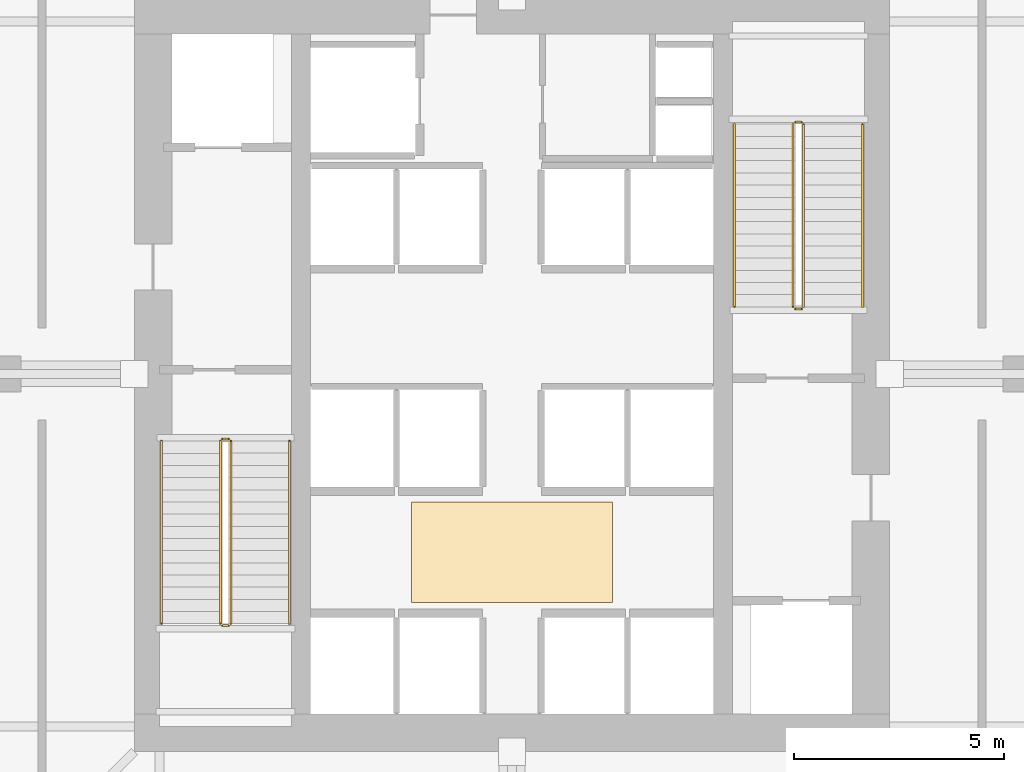
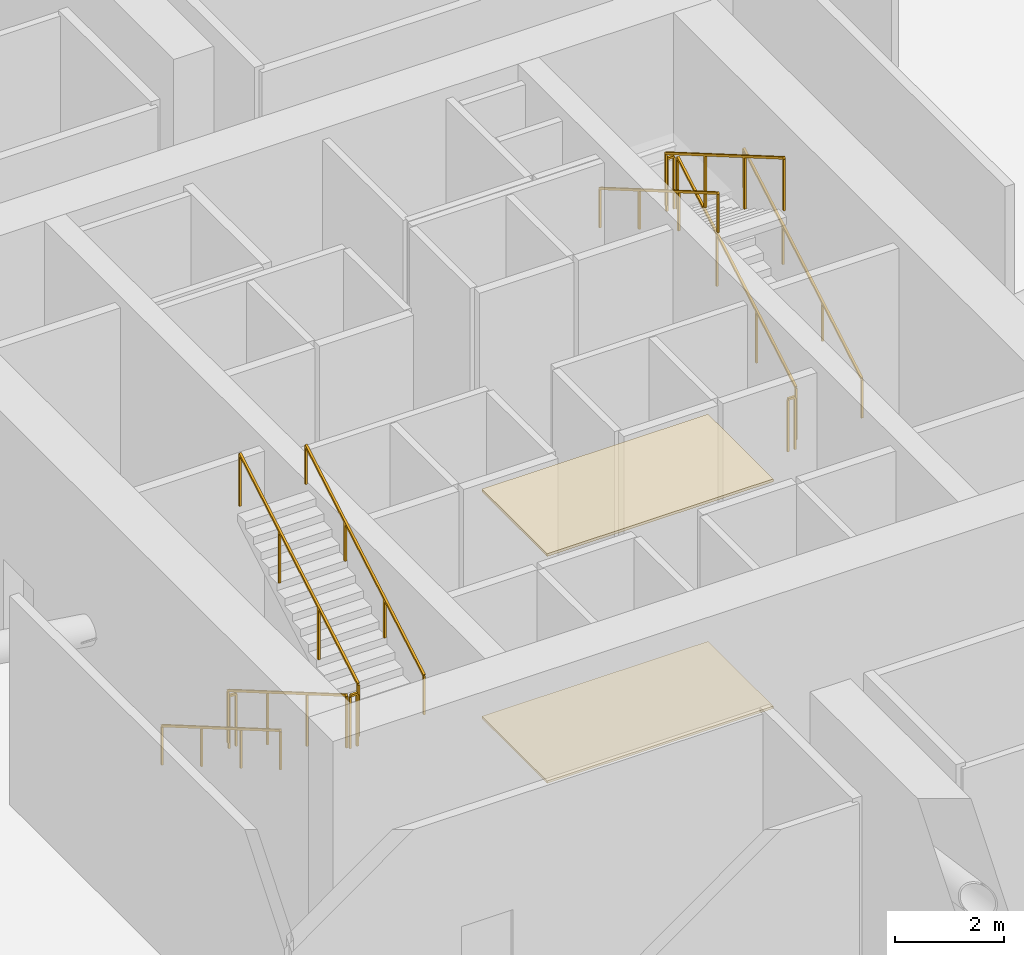
# One storey, part 6 of 6: 12 railings, 2 coverings.
"""IFC4 building model written with IfcOpenShell, lengths in metres."""

from ifc_helpers import new_model, si_unit, direction, frame, origin, origin_2d, place, context, subcontext, project, spatial, polyline, rectangle, outline, extrude, material, layer, layer_set, type_object, element, save


model = new_model("IFC4")

# Units and contexts
model_context = context("Model", 3, precision=1e-05, world=origin(), true_north=direction((0.0, 1.0)))
body_context = subcontext(model_context, "Body", "Model", "MODEL_VIEW")
ifc_project = project(units=[si_unit("LENGTHUNIT", "METRE"), si_unit("AREAUNIT", "SQUARE_METRE"), si_unit("VOLUMEUNIT", "CUBIC_METRE"), si_unit("PLANEANGLEUNIT", "RADIAN"), si_unit("MASSUNIT", "GRAM", prefix="KILO")], contexts=[model_context])

# Site, building, storey
site_placement = place(None, origin())
site = spatial("IfcSite", under=ifc_project, at=site_placement, CompositionType="ELEMENT")
building_placement = place(site_placement, origin())
building = spatial("IfcBuilding", under=site, at=building_placement, Name="Belovzor Exchange Tower", CompositionType="ELEMENT")
storey_placement = place(building_placement, frame((0.0, 0.0, 108.0)))
storey = spatial("IfcBuildingStorey", under=building, at=storey_placement, Name="L26", CompositionType="ELEMENT", Elevation=108.0)

# Railings
ifc_material_1 = material(Name="Stainless Steel Grade 304", Category="steel")
railing_type_1 = type_object("IfcRailingType", Name="Brushed Stainless Steel Stair Handrail 900", PredefinedType="HANDRAIL", material=ifc_material_1)
railing_1_placement = place(storey_placement, frame((20.449951171875, 27.199951171875, 0.168701171875)))
element("IfcRailing", 1, at=railing_1_placement, inside=storey, type_object=railing_type_1, Name="L26 ST-1 stair handrail 1", PredefinedType="HANDRAIL", context=body_context, shape_type="SweptSolid", body=[
    extrude(rectangle(XDim=0.048095703125, YDim=0.048095703125, at=origin_2d()), frame((0.0, 0.0, 0.8759765625), z_axis=(0.0, -0.864311530196, 0.502956835891), x_axis=(1.0, 0.0, 0.0)), (0.0, 0.0, 1.0), 5.03271484375),
    extrude(rectangle(XDim=0.0419921875, YDim=0.0419921875, at=origin_2d()), origin(), (0.0, 0.0, 1.0), 0.851806640625),
    extrude(rectangle(XDim=0.0419921875, YDim=0.0419921875, at=origin_2d()), frame((0.0, -1.449951171875, 0.84375)), (0.0, 0.0, 1.0), 0.851806640625),
    extrude(rectangle(XDim=0.0419921875, YDim=0.0419921875, at=origin_2d()), frame((0.0, -2.89990234375, 1.6875)), (0.0, 0.0, 1.0), 0.851806640625),
    extrude(rectangle(XDim=0.0419921875, YDim=0.0419921875, at=origin_2d()), frame((0.0, -4.349853515625, 2.53125)), (0.0, 0.0, 1.0), 0.851806640625),
])
railing_2_placement = place(storey_placement, frame((23.5, 22.85009765625, 2.86865234375)))
element("IfcRailing", 2, at=railing_2_placement, inside=storey, type_object=railing_type_1, Name="L26 ST-1 stair handrail 2", PredefinedType="HANDRAIL", context=body_context, shape_type="SweptSolid", body=[
    extrude(rectangle(XDim=0.048095703125, YDim=0.048095703125, at=origin_2d()), frame((0.0, 0.0, 0.8759765625), z_axis=(0.0, 0.864311530196, 0.502956835891), x_axis=(-1.0, 0.0, 0.0)), (0.0, 0.0, 1.0), 5.03271484375),
    extrude(rectangle(XDim=0.0419921875, YDim=0.0419921875, at=origin_2d()), origin(), (0.0, 0.0, 1.0), 0.851806640625),
    extrude(rectangle(XDim=0.0419921875, YDim=0.0419921875, at=origin_2d()), frame((0.0, 1.449951171875, 0.84375)), (0.0, 0.0, 1.0), 0.851806640625),
    extrude(rectangle(XDim=0.0419921875, YDim=0.0419921875, at=origin_2d()), frame((0.0, 2.89990234375, 1.6875)), (0.0, 0.0, 1.0), 0.851806640625),
    extrude(rectangle(XDim=0.0419921875, YDim=0.0419921875, at=origin_2d()), frame((0.0, 4.349853515625, 2.53125)), (0.0, 0.0, 1.0), 0.851806640625),
])
railing_3_placement = place(storey_placement, frame((37.14990234375, 30.39990234375, 0.168701171875)))
element("IfcRailing", 3, at=railing_3_placement, inside=storey, type_object=railing_type_1, Name="L26 ST-2 stair handrail 1", PredefinedType="HANDRAIL", context=body_context, shape_type="SweptSolid", body=[
    extrude(rectangle(XDim=0.048095703125, YDim=0.048095703125, at=origin_2d()), frame((0.0, 0.0, 0.8759765625), z_axis=(0.0, 0.864323800911, 0.50293574856), x_axis=(-1.0, 0.0, 0.0)), (0.0, 0.0, 1.0), 5.032958984375),
    extrude(rectangle(XDim=0.0419921875, YDim=0.0419921875, at=origin_2d()), origin(), (0.0, 0.0, 1.0), 0.851806640625),
    extrude(rectangle(XDim=0.0419921875, YDim=0.0419921875, at=origin_2d()), frame((0.0, 1.449951171875, 0.84375)), (0.0, 0.0, 1.0), 0.851806640625),
    extrude(rectangle(XDim=0.0419921875, YDim=0.0419921875, at=origin_2d()), frame((0.0, 2.900146484375, 1.6875)), (0.0, 0.0, 1.0), 0.851806640625),
    extrude(rectangle(XDim=0.0419921875, YDim=0.0419921875, at=origin_2d()), frame((0.0, 4.35009765625, 2.53125)), (0.0, 0.0, 1.0), 0.851806640625),
])
railing_4_placement = place(storey_placement, frame((34.10009765625, 34.75, 2.86865234375)))
element("IfcRailing", 4, at=railing_4_placement, inside=storey, type_object=railing_type_1, Name="L26 ST-2 stair handrail 2", PredefinedType="HANDRAIL", context=body_context, shape_type="SweptSolid", body=[
    extrude(rectangle(XDim=0.048095703125, YDim=0.048095703125, at=origin_2d()), frame((0.0, 0.0, 0.8759765625), z_axis=(0.0, -0.864323800911, 0.50293574856), x_axis=(1.0, 0.0, 0.0)), (0.0, 0.0, 1.0), 5.032958984375),
    extrude(rectangle(XDim=0.0419921875, YDim=0.0419921875, at=origin_2d()), origin(), (0.0, 0.0, 1.0), 0.851806640625),
    extrude(rectangle(XDim=0.0419921875, YDim=0.0419921875, at=origin_2d()), frame((0.0, -1.449951171875, 0.84375)), (0.0, 0.0, 1.0), 0.851806640625),
    extrude(rectangle(XDim=0.0419921875, YDim=0.0419921875, at=origin_2d()), frame((0.0, -2.900146484375, 1.6875)), (0.0, 0.0, 1.0), 0.851806640625),
    extrude(rectangle(XDim=0.0419921875, YDim=0.0419921875, at=origin_2d()), frame((0.0, -4.35009765625, 2.53125)), (0.0, 0.0, 1.0), 0.851806640625),
])
ifc_material_2 = material(Name="Steel S355", Category="steel")
railing_type_2 = type_object("IfcRailingType", Name="Painted Steel Stairwell Guardrail 1200", PredefinedType="GUARDRAIL", material=ifc_material_2)
railing_5_placement = place(storey_placement, frame((21.85009765625, 27.199951171875, 0.168701171875)))
element("IfcRailing", 5, at=railing_5_placement, inside=storey, type_object=railing_type_2, Name="L26 ST-1 stair guard 1", PredefinedType="GUARDRAIL", context=body_context, shape_type="SweptSolid", body=[
    extrude(rectangle(XDim=0.048095703125, YDim=0.048095703125, at=origin_2d()), frame((0.0, 0.0, 1.17578125), z_axis=(0.0, -0.864311530196, 0.502956835891), x_axis=(1.0, 0.0, 0.0)), (0.0, 0.0, 1.0), 5.03271484375),
    extrude(rectangle(XDim=0.0419921875, YDim=0.0419921875, at=origin_2d()), origin(), (0.0, 0.0, 1.0), 1.15185546875),
    extrude(rectangle(XDim=0.0419921875, YDim=0.0419921875, at=origin_2d()), frame((0.0, -1.449951171875, 0.84375)), (0.0, 0.0, 1.0), 1.15185546875),
    extrude(rectangle(XDim=0.0419921875, YDim=0.0419921875, at=origin_2d()), frame((0.0, -2.89990234375, 1.6875)), (0.0, 0.0, 1.0), 1.15185546875),
    extrude(rectangle(XDim=0.0419921875, YDim=0.0419921875, at=origin_2d()), frame((0.0, -4.349853515625, 2.53125)), (0.0, 0.0, 1.0), 1.15185546875),
])
railing_6_placement = place(storey_placement, frame((21.89990234375, 22.800048828125, 2.699951171875)))
element("IfcRailing", 6, at=railing_6_placement, inside=storey, type_object=railing_type_2, Name="L26 ST-1 stair guard 2", PredefinedType="GUARDRAIL", context=body_context, shape_type="SweptSolid", body=[
    extrude(rectangle(XDim=0.048095703125, YDim=0.048095703125, at=origin_2d()), frame((0.0, 0.0, 1.17578125), z_axis=(1.0, 0.0, 0.0), x_axis=(0.0, 1.0, 0.0)), (0.0, 0.0, 1.0), 0.150146484375),
    extrude(rectangle(XDim=0.0419921875, YDim=0.0419921875, at=origin_2d()), origin(), (0.0, 0.0, 1.0), 1.15185546875),
    extrude(rectangle(XDim=0.0419921875, YDim=0.0419921875, at=origin_2d()), frame((0.150146484375, 0.0, 0.0)), (0.0, 0.0, 1.0), 1.15185546875),
])
railing_7_placement = place(storey_placement, frame((22.10009765625, 22.85009765625, 2.86865234375)))
element("IfcRailing", 7, at=railing_7_placement, inside=storey, type_object=railing_type_2, Name="L26 ST-1 stair guard 3", PredefinedType="GUARDRAIL", context=body_context, shape_type="SweptSolid", body=[
    extrude(rectangle(XDim=0.048095703125, YDim=0.048095703125, at=origin_2d()), frame((0.0, 0.0, 1.17578125), z_axis=(0.0, 0.864311530196, 0.502956835891), x_axis=(-1.0, 0.0, 0.0)), (0.0, 0.0, 1.0), 5.03271484375),
    extrude(rectangle(XDim=0.0419921875, YDim=0.0419921875, at=origin_2d()), origin(), (0.0, 0.0, 1.0), 1.15185546875),
    extrude(rectangle(XDim=0.0419921875, YDim=0.0419921875, at=origin_2d()), frame((0.0, 1.449951171875, 0.84375)), (0.0, 0.0, 1.0), 1.15185546875),
    extrude(rectangle(XDim=0.0419921875, YDim=0.0419921875, at=origin_2d()), frame((0.0, 2.89990234375, 1.6875)), (0.0, 0.0, 1.0), 1.15185546875),
    extrude(rectangle(XDim=0.0419921875, YDim=0.0419921875, at=origin_2d()), frame((0.0, 4.349853515625, 2.53125)), (0.0, 0.0, 1.0), 1.15185546875),
])
railing_8_placement = place(storey_placement, frame((21.89990234375, 27.25, 0.0)))
element("IfcRailing", 8, at=railing_8_placement, inside=storey, type_object=railing_type_2, Name="L26 ST-1 stair guard 4", PredefinedType="GUARDRAIL", context=body_context, shape_type="SweptSolid", body=[
    extrude(rectangle(XDim=0.048095703125, YDim=0.048095703125, at=origin_2d()), frame((0.0, 0.0, 1.17578125), z_axis=(1.0, 0.0, 0.0), x_axis=(0.0, 1.0, 0.0)), (0.0, 0.0, 1.0), 0.150146484375),
    extrude(rectangle(XDim=0.0419921875, YDim=0.0419921875, at=origin_2d()), origin(), (0.0, 0.0, 1.0), 1.15185546875),
    extrude(rectangle(XDim=0.0419921875, YDim=0.0419921875, at=origin_2d()), frame((0.150146484375, 0.0, 0.0)), (0.0, 0.0, 1.0), 1.15185546875),
])
railing_9_placement = place(storey_placement, frame((35.75, 30.39990234375, 0.168701171875)))
element("IfcRailing", 9, at=railing_9_placement, inside=storey, type_object=railing_type_2, Name="L26 ST-2 stair guard 1", PredefinedType="GUARDRAIL", context=body_context, shape_type="SweptSolid", body=[
    extrude(rectangle(XDim=0.048095703125, YDim=0.048095703125, at=origin_2d()), frame((0.0, 0.0, 1.17578125), z_axis=(0.0, 0.864323800911, 0.50293574856), x_axis=(-1.0, 0.0, 0.0)), (0.0, 0.0, 1.0), 5.032958984375),
    extrude(rectangle(XDim=0.0419921875, YDim=0.0419921875, at=origin_2d()), origin(), (0.0, 0.0, 1.0), 1.15185546875),
    extrude(rectangle(XDim=0.0419921875, YDim=0.0419921875, at=origin_2d()), frame((0.0, 1.449951171875, 0.84375)), (0.0, 0.0, 1.0), 1.15185546875),
    extrude(rectangle(XDim=0.0419921875, YDim=0.0419921875, at=origin_2d()), frame((0.0, 2.900146484375, 1.6875)), (0.0, 0.0, 1.0), 1.15185546875),
    extrude(rectangle(XDim=0.0419921875, YDim=0.0419921875, at=origin_2d()), frame((0.0, 4.35009765625, 2.53125)), (0.0, 0.0, 1.0), 1.15185546875),
])
railing_10_placement = place(storey_placement, frame((35.699951171875, 34.800048828125, 2.699951171875)))
element("IfcRailing", 10, at=railing_10_placement, inside=storey, type_object=railing_type_2, Name="L26 ST-2 stair guard 2", PredefinedType="GUARDRAIL", context=body_context, shape_type="SweptSolid", body=[
    extrude(rectangle(XDim=0.048095703125, YDim=0.048095703125, at=origin_2d()), frame((0.0, 0.0, 1.17578125), z_axis=(-1.0, 0.0, 0.0), x_axis=(0.0, -1.0, 0.0)), (0.0, 0.0, 1.0), 0.14990234375),
    extrude(rectangle(XDim=0.0419921875, YDim=0.0419921875, at=origin_2d()), origin(), (0.0, 0.0, 1.0), 1.15185546875),
    extrude(rectangle(XDim=0.0419921875, YDim=0.0419921875, at=origin_2d()), frame((-0.14990234375, 0.0, 0.0)), (0.0, 0.0, 1.0), 1.15185546875),
])
railing_11_placement = place(storey_placement, frame((35.5, 34.75, 2.86865234375)))
element("IfcRailing", 11, at=railing_11_placement, inside=storey, type_object=railing_type_2, Name="L26 ST-2 stair guard 3", PredefinedType="GUARDRAIL", context=body_context, shape_type="SweptSolid", body=[
    extrude(rectangle(XDim=0.048095703125, YDim=0.048095703125, at=origin_2d()), frame((0.0, 0.0, 1.17578125), z_axis=(0.0, -0.864323800911, 0.50293574856), x_axis=(1.0, 0.0, 0.0)), (0.0, 0.0, 1.0), 5.032958984375),
    extrude(rectangle(XDim=0.0419921875, YDim=0.0419921875, at=origin_2d()), origin(), (0.0, 0.0, 1.0), 1.15185546875),
    extrude(rectangle(XDim=0.0419921875, YDim=0.0419921875, at=origin_2d()), frame((0.0, -1.449951171875, 0.84375)), (0.0, 0.0, 1.0), 1.15185546875),
    extrude(rectangle(XDim=0.0419921875, YDim=0.0419921875, at=origin_2d()), frame((0.0, -2.900146484375, 1.6875)), (0.0, 0.0, 1.0), 1.15185546875),
    extrude(rectangle(XDim=0.0419921875, YDim=0.0419921875, at=origin_2d()), frame((0.0, -4.35009765625, 2.53125)), (0.0, 0.0, 1.0), 1.15185546875),
])
railing_12_placement = place(storey_placement, frame((35.699951171875, 30.35009765625, 0.0)))
element("IfcRailing", 12, at=railing_12_placement, inside=storey, type_object=railing_type_2, Name="L26 ST-2 stair guard 4", PredefinedType="GUARDRAIL", context=body_context, shape_type="SweptSolid", body=[
    extrude(rectangle(XDim=0.048095703125, YDim=0.048095703125, at=origin_2d()), frame((0.0, 0.0, 1.17578125), z_axis=(-1.0, 0.0, 0.0), x_axis=(0.0, -1.0, 0.0)), (0.0, 0.0, 1.0), 0.14990234375),
    extrude(rectangle(XDim=0.0419921875, YDim=0.0419921875, at=origin_2d()), origin(), (0.0, 0.0, 1.0), 1.15185546875),
    extrude(rectangle(XDim=0.0419921875, YDim=0.0419921875, at=origin_2d()), frame((-0.14990234375, 0.0, 0.0)), (0.0, 0.0, 1.0), 1.15185546875),
])

# Coverings
ifc_material_3 = material(Name="Perforated Powder-Coated Aluminium", Category="aluminium")
ifc_layer_1 = layer(ifc_material_3, 0.06005859375)
ifc_layer_set_1 = layer_set([ifc_layer_1], Name="Perforated Powder-Coated Aluminium")
covering_type_1 = type_object("IfcCoveringType", Name="Perforated Acoustic Metal Tile Suspended Ceiling 60", PredefinedType="CEILING", material=ifc_layer_set_1)
covering_1_placement = place(storey_placement, frame((0.0, 0.0, 5.090087890625)))
element("IfcCovering", 13, at=covering_1_placement, inside=storey, type_object=covering_type_1, Name="CLG-AC60 Suspended Ceiling CLG-L26-LOB", PredefinedType="CEILING", context=body_context, shape_type="SweptSolid", body=[
    extrude(outline(polyline([(26.39990234375, 23.35009765625), (31.199951171875, 23.35009765625), (31.199951171875, 25.75), (26.39990234375, 25.75), (26.39990234375, 23.35009765625)])), origin(), (0.0, 0.0, 1.0), 0.059814453125),
])
ifc_material_4 = material(Name="Polished Natural Granite Tile", Category="masonry")
ifc_layer_2 = layer(ifc_material_4, 0.050048828125)
ifc_layer_set_2 = layer_set([ifc_layer_2], Name="Polished Natural Granite Tile")
covering_type_2 = type_object("IfcCoveringType", Name="Polished Karelian Granite & Raised Access Floor Finish 50", PredefinedType="FLOORING", material=ifc_layer_set_2)
covering_2_placement = place(storey_placement, origin())
element("IfcCovering", 14, at=covering_2_placement, inside=storey, type_object=covering_type_2, Name="FLR-GR50 Floor Finish FLR-L26-LOB", PredefinedType="FLOORING", context=body_context, shape_type="SweptSolid", body=[
    extrude(outline(polyline([(26.39990234375, 23.35009765625), (31.199951171875, 23.35009765625), (31.199951171875, 25.75), (26.39990234375, 25.75), (26.39990234375, 23.35009765625)])), origin(), (0.0, 0.0, 1.0), 0.050048828125),
])

save(model, "model.ifc")
